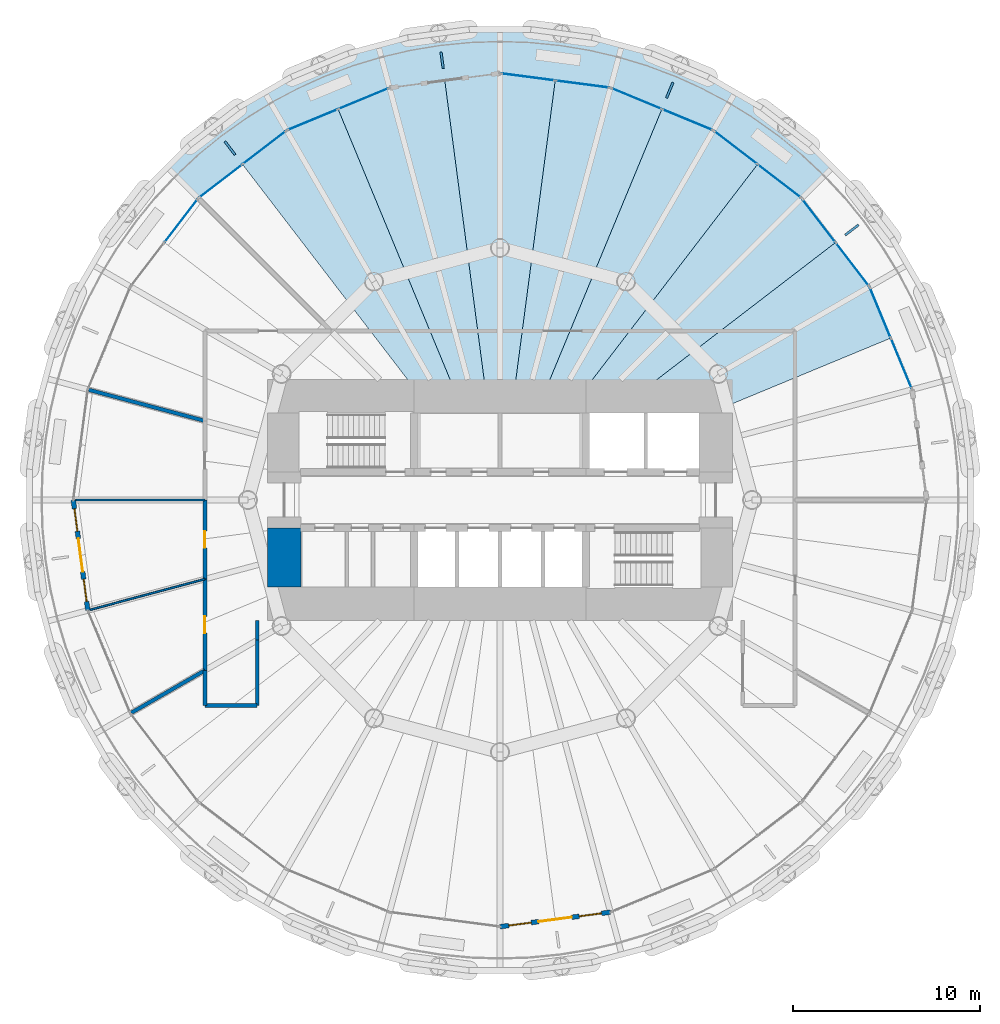
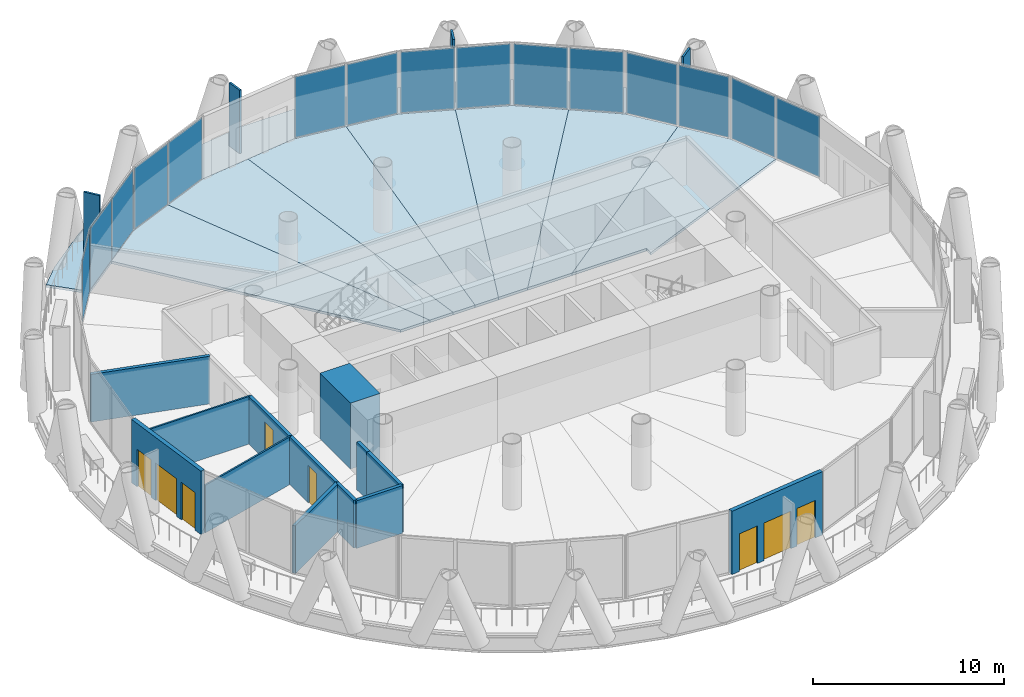
# One storey, part 9 of 15: 19 plates, 13 walls, 8 slabs, 4 doors, 4 windows, 8 openings, 8 elements without a shape of their own.
"""IFC4 building model written with IfcOpenShell, lengths in metres."""

from ifc_helpers import new_model, si_unit, direction, frame, frame_2d, origin, origin_2d, place, context, subcontext, project, spatial, polyline, rectangle, outline, extrude, material, layer, layer_set, type_object, element, fill, aggregate, save


model = new_model("IFC4")

# Units and contexts
model_context = context("Model", 3, precision=1e-05, world=origin(), true_north=direction((0.0, 1.0)))
body_context = subcontext(model_context, "Body", "Model", "MODEL_VIEW")
ifc_project = project(units=[si_unit("LENGTHUNIT", "METRE"), si_unit("AREAUNIT", "SQUARE_METRE"), si_unit("VOLUMEUNIT", "CUBIC_METRE"), si_unit("PLANEANGLEUNIT", "RADIAN"), si_unit("MASSUNIT", "GRAM", prefix="KILO")], contexts=[model_context])

# Site, building, storey
site_placement = place(None, origin())
site = spatial("IfcSite", under=ifc_project, at=site_placement, CompositionType="ELEMENT")
building_placement = place(site_placement, origin())
building = spatial("IfcBuilding", under=site, at=building_placement, Name="Qaws Media Tower", CompositionType="ELEMENT")
storey_placement = place(building_placement, frame((0.0, 0.0, 114.199951171875)))
storey = spatial("IfcBuildingStorey", under=building, at=storey_placement, Name="L25", CompositionType="ELEMENT", Elevation=114.199951171875)

# Slabs
ifc_material_1 = material(Name="Concrete C35/45", Category="concrete")
ifc_layer_1 = layer(ifc_material_1, 0.159912109375)
ifc_layer_set_1 = layer_set([ifc_layer_1], Name="Composite balcony slab 160")
slab_type_1 = type_object("IfcSlabType", Name="Composite balcony slab 160", PredefinedType="FLOOR", material=ifc_layer_set_1)
slab_1_placement = place(storey_placement, frame((0.0, 0.0, -0.159912109375)))
element("IfcSlab", 1, at=slab_1_placement, inside=storey, type_object=slab_type_1, Name="S2 balcony slab L25 R04 to R10, movement joints on R04 and R10", PredefinedType="FLOOR", context=body_context, shape_type="SweptSolid", body=[
    extrude(outline(polyline([(43.3515625, 68.98388671875), (45.971923828125, 70.99462890625), (48.832275390625, 72.64599609375), (51.8837890625, 73.909912109375), (55.073974609375, 74.764892578125), (58.3486328125, 75.19580078125), (61.6513671875, 75.19580078125), (64.926025390625, 74.764892578125), (68.1162109375, 73.909912109375), (71.167724609375, 72.64599609375), (74.028076171875, 70.99462890625), (76.6484375, 68.98388671875), (77.816162109375, 67.816162109375), (76.157470703125, 66.157470703125), (71.425048828125, 69.788818359375), (65.9140625, 72.0712890625), (60.0, 72.85009765625), (54.0859375, 72.0712890625), (48.574951171875, 69.788818359375), (43.842529296875, 66.157470703125), (42.183837890625, 67.816162109375), (43.3515625, 68.98388671875)])), origin(), (0.0, 0.0, 1.0), 0.159912109375),
])
ifc_material_2 = material(Name="Concrete C35/45", Category="concrete")
ifc_layer_2 = layer(ifc_material_2, 0.159912109375)
ifc_layer_set_2 = layer_set([ifc_layer_2], Name="Composite floor slab 160")
slab_type_2 = type_object("IfcSlabType", Name="Composite floor slab 160", PredefinedType="FLOOR", material=ifc_layer_set_2)
slab_2_placement = place(storey_placement, frame((0.0, 0.0, -0.159912109375)))
element("IfcSlab", 2, at=slab_2_placement, inside=storey, type_object=slab_type_2, Name="S1 floor panel L25 on R03", PredefinedType="FLOOR", context=body_context, shape_type="SweptSolid", body=[
    extrude(outline(polyline([(79.788818359375, 61.425048828125), (80.929931640625, 58.66943359375), (71.0, 54.556396484375), (71.0, 55.0), (66.51611328125, 55.0), (77.972900390625, 63.791259765625), (79.788818359375, 61.425048828125)])), origin(), (0.0, 0.0, 1.0), 0.159912109375),
])
slab_3_placement = place(storey_placement, frame((0.0, 0.0, -0.159912109375)))
element("IfcSlab", 3, at=slab_3_placement, inside=storey, type_object=slab_type_2, Name="S1 floor panel L25 on R04", PredefinedType="FLOOR", context=body_context, shape_type="SweptSolid", body=[
    extrude(outline(polyline([(76.157470703125, 66.157470703125), (77.972900390625, 63.791259765625), (66.51611328125, 55.0), (63.836669921875, 55.0), (73.791259765625, 67.972900390625), (76.157470703125, 66.157470703125)])), origin(), (0.0, 0.0, 1.0), 0.159912109375),
])
slab_4_placement = place(storey_placement, frame((0.0, 0.0, -0.159912109375)))
element("IfcSlab", 4, at=slab_4_placement, inside=storey, type_object=slab_type_2, Name="S1 floor panel L25 on R05", PredefinedType="FLOOR", context=body_context, shape_type="SweptSolid", body=[
    extrude(outline(polyline([(71.425048828125, 69.788818359375), (73.791259765625, 67.972900390625), (63.836669921875, 55.0), (62.071044921875, 55.0), (68.66943359375, 70.929931640625), (71.425048828125, 69.788818359375)])), origin(), (0.0, 0.0, 1.0), 0.159912109375),
])
slab_5_placement = place(storey_placement, frame((0.0, 0.0, -0.159912109375)))
element("IfcSlab", 5, at=slab_5_placement, inside=storey, type_object=slab_type_2, Name="S1 floor panel L25 on R06", PredefinedType="FLOOR", context=body_context, shape_type="SweptSolid", body=[
    extrude(outline(polyline([(65.9140625, 72.0712890625), (68.66943359375, 70.929931640625), (62.071044921875, 55.0), (60.658203125, 55.0), (62.95703125, 72.460693359375), (65.9140625, 72.0712890625)])), origin(), (0.0, 0.0, 1.0), 0.159912109375),
])
slab_6_placement = place(storey_placement, frame((0.0, 0.0, -0.159912109375)))
element("IfcSlab", 6, at=slab_6_placement, inside=storey, type_object=slab_type_2, Name="S1 floor panel L25 on R07", PredefinedType="FLOOR", context=body_context, shape_type="SweptSolid", body=[
    extrude(outline(polyline([(60.0, 72.85009765625), (62.95703125, 72.460693359375), (60.658203125, 55.0), (59.341796875, 55.0), (57.04296875, 72.460693359375), (60.0, 72.85009765625)])), origin(), (0.0, 0.0, 1.0), 0.159912109375),
])
slab_7_placement = place(storey_placement, frame((0.0, 0.0, -0.159912109375)))
element("IfcSlab", 7, at=slab_7_placement, inside=storey, type_object=slab_type_2, Name="S1 floor panel L25 on R08", PredefinedType="FLOOR", context=body_context, shape_type="SweptSolid", body=[
    extrude(outline(polyline([(54.0859375, 72.0712890625), (57.04296875, 72.460693359375), (59.341796875, 55.0), (57.928955078125, 55.0), (51.33056640625, 70.929931640625), (54.0859375, 72.0712890625)])), origin(), (0.0, 0.0, 1.0), 0.159912109375),
])
slab_8_placement = place(storey_placement, frame((0.0, 0.0, -0.159912109375)))
element("IfcSlab", 8, at=slab_8_placement, inside=storey, type_object=slab_type_2, Name="S1 floor panel L25 on R09", PredefinedType="FLOOR", context=body_context, shape_type="SweptSolid", body=[
    extrude(outline(polyline([(48.574951171875, 69.788818359375), (51.33056640625, 70.929931640625), (57.928955078125, 55.0), (56.163330078125, 55.0), (46.208740234375, 67.972900390625), (48.574951171875, 69.788818359375)])), origin(), (0.0, 0.0, 1.0), 0.159912109375),
])

# Curtain wall, plates
ifc_material_3 = material(Name="Aluminium and clear glass", Category="aluminium")
curtain_wall_type = type_object("IfcCurtainWallType", Name="Unitised curtain wall CW-B", PredefinedType="NOTDEFINED", material=ifc_material_3)
curtain_wall_1_placement = place(storey_placement, origin())
curtain_wall_1 = element("IfcCurtainWall", 9, at=curtain_wall_1_placement, inside=storey, type_object=curtain_wall_type, Name="CWB curtain wall L25-02", PredefinedType="NOTDEFINED")
ifc_material_4 = material(Name="Clear laminated double glazing", Category="glass")
ifc_layer_3 = layer(ifc_material_4, 0.031982421875)
ifc_layer_set_3 = layer_set([ifc_layer_3], Name="Curtain wall glass unit 32")
plate_type_1 = type_object("IfcPlateType", Name="Curtain wall glass unit 32", PredefinedType="CURTAIN_PANEL", material=ifc_layer_set_3)
plate_1_placement = place(storey_placement, frame((81.4931640625, 57.310302734375, 0.080078125), z_axis=(0.0, 0.0, 1.0), x_axis=(-0.382683471145, 0.923879516448, 0.0)))
plate_1 = element("IfcPlate", 10, at=plate_1_placement, type_object=plate_type_1, Name="CWB panel 1.1", PredefinedType="CURTAIN_PANEL", context=body_context, shape_type="SweptSolid", body=[
    extrude(rectangle(XDim=2.862548828125, YDim=0.031982421875, at=origin_2d()), origin(), (0.0, 0.0, 1.0), 3.8798828125),
])
plate_2_placement = place(storey_placement, frame((80.366943359375, 60.02880859375, 0.080078125), z_axis=(0.0, 0.0, 1.0), x_axis=(-0.382683471145, 0.923879516448, 0.0)))
plate_2 = element("IfcPlate", 11, at=plate_2_placement, type_object=plate_type_1, Name="CWB panel 2.1", PredefinedType="CURTAIN_PANEL", context=body_context, shape_type="SweptSolid", body=[
    extrude(rectangle(XDim=2.862548828125, YDim=0.031982421875, at=origin_2d()), origin(), (0.0, 0.0, 1.0), 3.8798828125),
])
aggregate(curtain_wall_1, [plate_1, plate_2])

curtain_wall_2_placement = place(storey_placement, origin())
curtain_wall_2 = element("IfcCurtainWall", 12, at=curtain_wall_2_placement, inside=storey, type_object=curtain_wall_type, Name="CWB curtain wall L25-03", PredefinedType="NOTDEFINED")
plate_3_placement = place(storey_placement, frame((78.86865234375, 62.6240234375, 0.080078125), z_axis=(0.0, 0.0, 1.0), x_axis=(-0.608761369427, 0.79335338601, 0.0)))
plate_3 = element("IfcPlate", 13, at=plate_3_placement, type_object=plate_type_1, Name="CWB panel 1.1", PredefinedType="CURTAIN_PANEL", context=body_context, shape_type="SweptSolid", body=[
    extrude(rectangle(XDim=2.862548828125, YDim=0.031982421875, at=origin_2d()), origin(), (0.0, 0.0, 1.0), 3.8798828125),
])
plate_4_placement = place(storey_placement, frame((77.077392578125, 64.95849609375, 0.080078125), z_axis=(0.0, 0.0, 1.0), x_axis=(-0.608761369427, 0.79335338601, 0.0)))
plate_4 = element("IfcPlate", 14, at=plate_4_placement, type_object=plate_type_1, Name="CWB panel 2.1", PredefinedType="CURTAIN_PANEL", context=body_context, shape_type="SweptSolid", body=[
    extrude(rectangle(XDim=2.862548828125, YDim=0.031982421875, at=origin_2d()), origin(), (0.0, 0.0, 1.0), 3.8798828125),
])
aggregate(curtain_wall_2, [plate_3, plate_4])

curtain_wall_3_placement = place(storey_placement, origin())
curtain_wall_3 = element("IfcCurtainWall", 15, at=curtain_wall_3_placement, inside=storey, type_object=curtain_wall_type, Name="CWB curtain wall L25-04", PredefinedType="NOTDEFINED")
plate_5_placement = place(storey_placement, frame((74.95849609375, 67.077392578125, 0.080078125), z_axis=(0.0, 0.0, 1.0), x_axis=(-0.79335338601, 0.608761369427, 0.0)))
plate_5 = element("IfcPlate", 16, at=plate_5_placement, type_object=plate_type_1, Name="CWB panel 1.1", PredefinedType="CURTAIN_PANEL", context=body_context, shape_type="SweptSolid", body=[
    extrude(rectangle(XDim=2.862548828125, YDim=0.031982421875, at=origin_2d()), origin(), (0.0, 0.0, 1.0), 3.8798828125),
])
plate_6_placement = place(storey_placement, frame((72.6240234375, 68.86865234375, 0.080078125), z_axis=(0.0, 0.0, 1.0), x_axis=(-0.79335338601, 0.608761369427, 0.0)))
plate_6 = element("IfcPlate", 17, at=plate_6_placement, type_object=plate_type_1, Name="CWB panel 2.1", PredefinedType="CURTAIN_PANEL", context=body_context, shape_type="SweptSolid", body=[
    extrude(rectangle(XDim=2.862548828125, YDim=0.031982421875, at=origin_2d()), origin(), (0.0, 0.0, 1.0), 3.8798828125),
])
aggregate(curtain_wall_3, [plate_5, plate_6])

curtain_wall_4_placement = place(storey_placement, origin())
curtain_wall_4 = element("IfcCurtainWall", 18, at=curtain_wall_4_placement, inside=storey, type_object=curtain_wall_type, Name="CWB curtain wall L25-05", PredefinedType="NOTDEFINED")
plate_7_placement = place(storey_placement, frame((70.02880859375, 70.366943359375, 0.080078125), z_axis=(0.0, 0.0, 1.0), x_axis=(-0.923879516448, 0.382683471145, 0.0)))
plate_7 = element("IfcPlate", 19, at=plate_7_placement, type_object=plate_type_1, Name="CWB panel 1.1", PredefinedType="CURTAIN_PANEL", context=body_context, shape_type="SweptSolid", body=[
    extrude(rectangle(XDim=2.862548828125, YDim=0.031982421875, at=origin_2d()), origin(), (0.0, 0.0, 1.0), 3.8798828125),
])
plate_8_placement = place(storey_placement, frame((67.310302734375, 71.4931640625, 0.080078125), z_axis=(0.0, 0.0, 1.0), x_axis=(-0.923879516448, 0.382683471145, 0.0)))
plate_8 = element("IfcPlate", 20, at=plate_8_placement, type_object=plate_type_1, Name="CWB panel 2.1", PredefinedType="CURTAIN_PANEL", context=body_context, shape_type="SweptSolid", body=[
    extrude(rectangle(XDim=2.862548828125, YDim=0.031982421875, at=origin_2d()), origin(), (0.0, 0.0, 1.0), 3.8798828125),
])
aggregate(curtain_wall_4, [plate_7, plate_8])

curtain_wall_5_placement = place(storey_placement, origin())
curtain_wall_5 = element("IfcCurtainWall", 21, at=curtain_wall_5_placement, inside=storey, type_object=curtain_wall_type, Name="CWB curtain wall L25-06", PredefinedType="NOTDEFINED")
plate_9_placement = place(storey_placement, frame((64.415771484375, 72.2685546875, 0.080078125), z_axis=(0.0, 0.0, 1.0), x_axis=(-0.991444858023, 0.130526217674, 0.0)))
plate_9 = element("IfcPlate", 22, at=plate_9_placement, type_object=plate_type_1, Name="CWB panel 1.1", PredefinedType="CURTAIN_PANEL", context=body_context, shape_type="SweptSolid", body=[
    extrude(rectangle(XDim=2.862548828125, YDim=0.031982421875, at=origin_2d()), origin(), (0.0, 0.0, 1.0), 3.8798828125),
])
plate_10_placement = place(storey_placement, frame((61.498291015625, 72.65283203125, 0.080078125), z_axis=(0.0, 0.0, 1.0), x_axis=(-0.991444858023, 0.130526217674, 0.0)))
plate_10 = element("IfcPlate", 23, at=plate_10_placement, type_object=plate_type_1, Name="CWB panel 2.1", PredefinedType="CURTAIN_PANEL", context=body_context, shape_type="SweptSolid", body=[
    extrude(rectangle(XDim=2.862548828125, YDim=0.031982421875, at=origin_2d()), origin(), (0.0, 0.0, 1.0), 3.8798828125),
])
aggregate(curtain_wall_5, [plate_9, plate_10])

curtain_wall_6_placement = place(storey_placement, origin())
curtain_wall_6 = element("IfcCurtainWall", 24, at=curtain_wall_6_placement, inside=storey, type_object=curtain_wall_type, Name="CWB curtain wall L25-08", PredefinedType="NOTDEFINED")
plate_11_placement = place(storey_placement, frame((52.689697265625, 71.4931640625, 0.080078125), z_axis=(0.0, 0.0, 1.0), x_axis=(-0.923879516448, -0.382683471145, 0.0)))
plate_11 = element("IfcPlate", 25, at=plate_11_placement, type_object=plate_type_1, Name="CWB panel 1.1", PredefinedType="CURTAIN_PANEL", context=body_context, shape_type="SweptSolid", body=[
    extrude(rectangle(XDim=2.862548828125, YDim=0.031982421875, at=origin_2d()), origin(), (0.0, 0.0, 1.0), 3.8798828125),
])
plate_12_placement = place(storey_placement, frame((49.97119140625, 70.366943359375, 0.080078125), z_axis=(0.0, 0.0, 1.0), x_axis=(-0.923879516448, -0.382683471145, 0.0)))
plate_12 = element("IfcPlate", 26, at=plate_12_placement, type_object=plate_type_1, Name="CWB panel 2.1", PredefinedType="CURTAIN_PANEL", context=body_context, shape_type="SweptSolid", body=[
    extrude(rectangle(XDim=2.862548828125, YDim=0.031982421875, at=origin_2d()), origin(), (0.0, 0.0, 1.0), 3.8798828125),
])
aggregate(curtain_wall_6, [plate_11, plate_12])

curtain_wall_7_placement = place(storey_placement, origin())
curtain_wall_7 = element("IfcCurtainWall", 27, at=curtain_wall_7_placement, inside=storey, type_object=curtain_wall_type, Name="CWB curtain wall L25-09", PredefinedType="NOTDEFINED")
plate_13_placement = place(storey_placement, frame((47.3759765625, 68.86865234375, 0.080078125), z_axis=(0.0, 0.0, 1.0), x_axis=(-0.79335338601, -0.608761369427, 0.0)))
plate_13 = element("IfcPlate", 28, at=plate_13_placement, type_object=plate_type_1, Name="CWB panel 1.1", PredefinedType="CURTAIN_PANEL", context=body_context, shape_type="SweptSolid", body=[
    extrude(rectangle(XDim=2.862548828125, YDim=0.031982421875, at=origin_2d()), origin(), (0.0, 0.0, 1.0), 3.8798828125),
])
plate_14_placement = place(storey_placement, frame((45.04150390625, 67.077392578125, 0.080078125), z_axis=(0.0, 0.0, 1.0), x_axis=(-0.79335338601, -0.608761369427, 0.0)))
plate_14 = element("IfcPlate", 29, at=plate_14_placement, type_object=plate_type_1, Name="CWB panel 2.1", PredefinedType="CURTAIN_PANEL", context=body_context, shape_type="SweptSolid", body=[
    extrude(rectangle(XDim=2.862548828125, YDim=0.031982421875, at=origin_2d()), origin(), (0.0, 0.0, 1.0), 3.8798828125),
])
aggregate(curtain_wall_7, [plate_13, plate_14])

# Curtain wall, plate
curtain_wall_8_placement = place(storey_placement, origin())
curtain_wall_8 = element("IfcCurtainWall", 30, at=curtain_wall_8_placement, inside=storey, type_object=curtain_wall_type, Name="CWB curtain wall L25-10", PredefinedType="NOTDEFINED")
plate_15_placement = place(storey_placement, frame((42.922607421875, 64.95849609375, 0.080078125), z_axis=(0.0, 0.0, 1.0), x_axis=(-0.608761369427, -0.79335338601, 0.0)))
plate_15 = element("IfcPlate", 31, at=plate_15_placement, type_object=plate_type_1, Name="CWB panel 1.1", PredefinedType="CURTAIN_PANEL", context=body_context, shape_type="SweptSolid", body=[
    extrude(rectangle(XDim=2.862548828125, YDim=0.031982421875, at=origin_2d()), origin(), (0.0, 0.0, 1.0), 3.8798828125),
])
aggregate(curtain_wall_8, [plate_15])

# Plates
ifc_material_5 = material(Name="Precast concrete screen fin", Category="concrete")
ifc_layer_4 = layer(ifc_material_5, 0.1201171875)
ifc_layer_set_4 = layer_set([ifc_layer_4], Name="Screen fin 120x900")
plate_type_2 = type_object("IfcPlateType", Name="Screen fin 120x900", PredefinedType="USERDEFINED", material=ifc_layer_set_4)
for number, where, z_axis, x_axis, name in (
    (32, (78.842041015625, 64.4580078125, 0.0), (0.0, 0.0, 1.0), (0.793353340291, 0.608761429009, 0.0), "SCR1 screen fin L25-02"),
    (33, (69.088623046875, 71.942138671875, 0.0), (0.0, 0.0, 1.0), (0.382683432365, 0.923879532511, 0.0), "SCR1 screen fin L25-03"),
    (34, (56.89990234375, 73.546875, 0.0), (0.0, 0.0, 1.0), (-0.13052619222, 0.991444861374, 0.0), "SCR1 screen fin L25-04"),
    (35, (45.5419921875, 68.842041015625, 0.0), (0.0, 0.0, 1.0), (-0.608761429009, 0.793353340291, 0.0), "SCR1 screen fin L25-05"),
):
    element("IfcPlate", number, at=place(storey_placement, frame(where, z_axis=z_axis, x_axis=x_axis)), inside=storey, type_object=plate_type_2, Name=name, ObjectType="SCREEN", PredefinedType="USERDEFINED", context=body_context, shape_type="SweptSolid", body=[
        extrude(rectangle(XDim=0.89990234375, YDim=0.1201171875, at=origin_2d()), origin(), (0.0, 0.0, 1.0), 4.0400390625),
    ])

# Wall, openings, door, windows
ifc_material_6 = material(Name="Precast concrete, exposed finish", Category="concrete")
ifc_layer_5 = layer(ifc_material_6, 0.25)
ifc_layer_set_5 = layer_set([ifc_layer_5], Name="Balcony door wall 250")
wall_type_1 = type_object("IfcWallType", Name="Balcony door wall 250", PredefinedType="SOLIDWALL", material=ifc_layer_set_5)
wall_1_placement = place(storey_placement, frame((37.14990234375, 50.0, 0.0), z_axis=(0.0, 0.0, 1.0), x_axis=(0.130560384174, -0.991440359318, 0.0)))
wall_1 = element("IfcWall", 36, at=wall_1_placement, inside=storey, type_object=wall_type_1, Name="W141 EW1 balcony door wall L25-13", PredefinedType="SOLIDWALL", context=body_context, shape_type="SweptSolid", body=[
    extrude(rectangle(XDim=5.965087890625, YDim=0.25, at=frame_2d((2.982421875, 0.0))), origin(), (0.0, 0.0, 1.0), 4.0400390625),
])
opening_1_placement = place(wall_1_placement, frame((2.08251953125, 0.0, 0.0)))
opening_1 = element("IfcOpeningElement", 37, at=opening_1_placement, cuts=wall_1, Name="Opening D7", PredefinedType="OPENING", context=body_context, shape_type="SweptSolid", body=[
    extrude(rectangle(XDim=1.800048828125, YDim=2.39990234375, at=frame_2d((0.89990234375, 1.199951171875))), frame((0.0, 0.135009765625, 0.0), z_axis=(0.0, -1.0, 0.0), x_axis=(1.0, 0.0, 0.0)), (0.0, 0.0, 1.0), 0.27001953125),
])
opening_2_placement = place(wall_1_placement, frame((0.482421875, 0.0, 0.0)))
opening_2 = element("IfcOpeningElement", 38, at=opening_2_placement, cuts=wall_1, Name="Opening W1", PredefinedType="OPENING", context=body_context, shape_type="SweptSolid", body=[
    extrude(rectangle(XDim=1.199951171875, YDim=2.39990234375, at=frame_2d((0.60009765625, 1.199951171875))), frame((0.0, 0.135009765625, 0.0), z_axis=(0.0, -1.0, 0.0), x_axis=(1.0, 0.0, 0.0)), (0.0, 0.0, 1.0), 0.27001953125),
])
opening_3_placement = place(wall_1_placement, frame((4.282470703125, 0.0, 0.0)))
opening_3 = element("IfcOpeningElement", 39, at=opening_3_placement, cuts=wall_1, Name="Opening W1", PredefinedType="OPENING", context=body_context, shape_type="SweptSolid", body=[
    extrude(rectangle(XDim=1.199951171875, YDim=2.39990234375, at=frame_2d((0.60009765625, 1.199951171875))), frame((0.0, 0.135009765625, 0.0), z_axis=(0.0, -1.0, 0.0), x_axis=(1.0, 0.0, 0.0)), (0.0, 0.0, 1.0), 0.27001953125),
])
ifc_material_7 = material(Name="Aluminium and clear glass", Category="aluminium")
door_type_1 = type_object("IfcDoorType", Name="Balcony door pair 1800", OperationType="DOUBLE_DOOR_SLIDING", PredefinedType="DOOR", material=ifc_material_7)
door_1_placement = place(opening_1_placement, origin())
door_1 = element("IfcDoor", 40, at=door_1_placement, inside=storey, type_object=door_type_1, Name="D7 balcony door L25-13 in wall W141", OperationType="DOUBLE_DOOR_SLIDING", OverallHeight=2.39990234375, OverallWidth=1.800048828125, PredefinedType="DOOR", context=body_context, shape_type="SweptSolid", body=[
    extrude(rectangle(XDim=1.800048828125, YDim=2.39990234375, at=frame_2d((0.89990234375, 1.199951171875))), frame((0.0, 0.02490234375, 0.0), z_axis=(0.0, -1.0, 0.0), x_axis=(1.0, 0.0, 0.0)), (0.0, 0.0, 1.0), 0.050048828125),
])
fill(opening_1, door_1)
ifc_material_8 = material(Name="Aluminium and clear glass", Category="aluminium")
window_type = type_object("IfcWindowType", Name="Balcony side window 1200", PartitioningType="SINGLE_PANEL", PredefinedType="WINDOW", material=ifc_material_8)
window_1_placement = place(opening_2_placement, origin())
window_1 = element("IfcWindow", 41, at=window_1_placement, inside=storey, type_object=window_type, Name="W1 balcony side light L25-13L", OverallHeight=2.39990234375, OverallWidth=1.199951171875, PartitioningType="SINGLE_PANEL", PredefinedType="WINDOW", context=body_context, shape_type="SweptSolid", body=[
    extrude(rectangle(XDim=1.199951171875, YDim=2.39990234375, at=frame_2d((0.60009765625, 1.199951171875))), frame((0.0, 0.030029296875, 0.0), z_axis=(0.0, -1.0, 0.0), x_axis=(1.0, 0.0, 0.0)), (0.0, 0.0, 1.0), 0.06005859375),
])
fill(opening_2, window_1)
window_2_placement = place(opening_3_placement, origin())
window_2 = element("IfcWindow", 42, at=window_2_placement, inside=storey, type_object=window_type, Name="W1 balcony side light L25-13R", OverallHeight=2.39990234375, OverallWidth=1.199951171875, PartitioningType="SINGLE_PANEL", PredefinedType="WINDOW", context=body_context, shape_type="SweptSolid", body=[
    extrude(rectangle(XDim=1.199951171875, YDim=2.39990234375, at=frame_2d((0.60009765625, 1.199951171875))), frame((0.0, 0.030029296875, 0.0), z_axis=(0.0, -1.0, 0.0), x_axis=(1.0, 0.0, 0.0)), (0.0, 0.0, 1.0), 0.06005859375),
])
fill(opening_3, window_2)

wall_2_placement = place(storey_placement, frame((60.0, 27.14990234375, 0.0), z_axis=(0.0, 0.0, 1.0), x_axis=(0.991440359318, 0.130560384174, 0.0)))
wall_2 = element("IfcWall", 43, at=wall_2_placement, inside=storey, type_object=wall_type_1, Name="W142 EW1 balcony door wall L25-19", PredefinedType="SOLIDWALL", context=body_context, shape_type="SweptSolid", body=[
    extrude(rectangle(XDim=5.965087890625, YDim=0.25, at=frame_2d((2.982421875, 0.0))), origin(), (0.0, 0.0, 1.0), 4.0400390625),
])
opening_4_placement = place(wall_2_placement, frame((2.08251953125, 0.0, 0.0)))
opening_4 = element("IfcOpeningElement", 44, at=opening_4_placement, cuts=wall_2, Name="Opening D7", PredefinedType="OPENING", context=body_context, shape_type="SweptSolid", body=[
    extrude(rectangle(XDim=1.800048828125, YDim=2.39990234375, at=frame_2d((0.89990234375, 1.199951171875))), frame((0.0, 0.135009765625, 0.0), z_axis=(0.0, -1.0, 0.0), x_axis=(1.0, 0.0, 0.0)), (0.0, 0.0, 1.0), 0.27001953125),
])
opening_5_placement = place(wall_2_placement, frame((0.482421875, 0.0, 0.0)))
opening_5 = element("IfcOpeningElement", 45, at=opening_5_placement, cuts=wall_2, Name="Opening W1", PredefinedType="OPENING", context=body_context, shape_type="SweptSolid", body=[
    extrude(rectangle(XDim=1.199951171875, YDim=2.39990234375, at=frame_2d((0.60009765625, 1.199951171875))), frame((0.0, 0.135009765625, 0.0), z_axis=(0.0, -1.0, 0.0), x_axis=(1.0, 0.0, 0.0)), (0.0, 0.0, 1.0), 0.27001953125),
])
opening_6_placement = place(wall_2_placement, frame((4.282470703125, 0.0, 0.0)))
opening_6 = element("IfcOpeningElement", 46, at=opening_6_placement, cuts=wall_2, Name="Opening W1", PredefinedType="OPENING", context=body_context, shape_type="SweptSolid", body=[
    extrude(rectangle(XDim=1.199951171875, YDim=2.39990234375, at=frame_2d((0.60009765625, 1.199951171875))), frame((0.0, 0.135009765625, 0.0), z_axis=(0.0, -1.0, 0.0), x_axis=(1.0, 0.0, 0.0)), (0.0, 0.0, 1.0), 0.27001953125),
])
door_2_placement = place(opening_4_placement, origin())
door_2 = element("IfcDoor", 47, at=door_2_placement, inside=storey, type_object=door_type_1, Name="D7 balcony door L25-19 in wall W142", OperationType="DOUBLE_DOOR_SLIDING", OverallHeight=2.39990234375, OverallWidth=1.800048828125, PredefinedType="DOOR", context=body_context, shape_type="SweptSolid", body=[
    extrude(rectangle(XDim=1.800048828125, YDim=2.39990234375, at=frame_2d((0.89990234375, 1.199951171875))), frame((0.0, 0.02490234375, 0.0), z_axis=(0.0, -1.0, 0.0), x_axis=(1.0, 0.0, 0.0)), (0.0, 0.0, 1.0), 0.050048828125),
])
fill(opening_4, door_2)
window_3_placement = place(opening_5_placement, origin())
window_3 = element("IfcWindow", 48, at=window_3_placement, inside=storey, type_object=window_type, Name="W1 balcony side light L25-19L", OverallHeight=2.39990234375, OverallWidth=1.199951171875, PartitioningType="SINGLE_PANEL", PredefinedType="WINDOW", context=body_context, shape_type="SweptSolid", body=[
    extrude(rectangle(XDim=1.199951171875, YDim=2.39990234375, at=frame_2d((0.60009765625, 1.199951171875))), frame((0.0, 0.030029296875, 0.0), z_axis=(0.0, -1.0, 0.0), x_axis=(1.0, 0.0, 0.0)), (0.0, 0.0, 1.0), 0.06005859375),
])
fill(opening_5, window_3)
window_4_placement = place(opening_6_placement, origin())
window_4 = element("IfcWindow", 49, at=window_4_placement, inside=storey, type_object=window_type, Name="W1 balcony side light L25-19R", OverallHeight=2.39990234375, OverallWidth=1.199951171875, PartitioningType="SINGLE_PANEL", PredefinedType="WINDOW", context=body_context, shape_type="SweptSolid", body=[
    extrude(rectangle(XDim=1.199951171875, YDim=2.39990234375, at=frame_2d((0.60009765625, 1.199951171875))), frame((0.0, 0.030029296875, 0.0), z_axis=(0.0, -1.0, 0.0), x_axis=(1.0, 0.0, 0.0)), (0.0, 0.0, 1.0), 0.06005859375),
])
fill(opening_6, window_4)

# Walls
ifc_material_9 = material(Name="Concrete C60/75", Category="concrete")
ifc_layer_6 = layer(ifc_material_9, 1.800048828125)
ifc_layer_set_6 = layer_set([ifc_layer_6], Name="Core wall 1800")
wall_type_2 = type_object("IfcWallType", Name="Core wall 1800", PredefinedType="SHEAR", material=ifc_layer_set_6)
wall_3_placement = place(storey_placement, frame((48.449951171875, 45.330078125, 0.0), z_axis=(0.0, 0.0, 1.0), x_axis=(0.0, 1.0, 0.0)))
element("IfcWall", 50, at=wall_3_placement, inside=storey, type_object=wall_type_2, Name="W418 SW11 core wall WS L25", PredefinedType="SHEAR", context=body_context, shape_type="SweptSolid", body=[
    extrude(rectangle(XDim=3.169921875, YDim=1.800048828125, at=frame_2d((1.5849609375, 0.0))), origin(), (0.0, 0.0, 1.0), 4.199951171875),
])
ifc_material_10 = material(Name="Gypsum board on 70 metal studs, single layer each side", Category="gypsum")
ifc_layer_7 = layer(ifc_material_10, 0.10009765625)
ifc_layer_set_7 = layer_set([ifc_layer_7], Name="Office stud partition 100")
wall_type_3 = type_object("IfcWallType", Name="Office stud partition 100", PredefinedType="PARTITIONING", material=ifc_layer_set_7)
wall_4_placement = place(storey_placement, frame((44.199951171875, 50.0, 0.0), z_axis=(0.0, 0.0, 1.0), x_axis=(-1.0, 0.0, 0.0)))
element("IfcWall", 51, at=wall_4_placement, inside=storey, type_object=wall_type_3, Name="W643 IW4 partition L25", PredefinedType="PARTITIONING", context=body_context, shape_type="SweptSolid", body=[
    extrude(rectangle(XDim=6.909912109375, YDim=0.10009765625, at=frame_2d((3.455078125, 0.0))), origin(), (0.0, 0.0, 1.0), 3.0400390625),
])
wall_5_placement = place(storey_placement, frame((44.197509765625, 45.765625, 0.0), z_axis=(0.0, 0.0, 1.0), x_axis=(-0.96593500974, -0.258784769565, 0.0)))
element("IfcWall", 52, at=wall_5_placement, inside=storey, type_object=wall_type_3, Name="W656 IW4 partition L25", PredefinedType="PARTITIONING", context=body_context, shape_type="SweptSolid", body=[
    extrude(rectangle(XDim=6.35009765625, YDim=0.10009765625, at=frame_2d((3.175048828125, 0.0))), origin(), (0.0, 0.0, 1.0), 3.0400390625),
])
ifc_material_11 = material(Name="Gypsum board on galvanised metal studs, acoustic double stud, deflection head", Category="gypsum")
ifc_layer_8 = layer(ifc_material_11, 0.199951171875)
ifc_layer_set_8 = layer_set([ifc_layer_8], Name="Room partition 200")
wall_type_4 = type_object("IfcWallType", Name="Room partition 200", PredefinedType="PARTITIONING", material=ifc_layer_set_8)
wall_6_placement = place(storey_placement, frame((47.0, 43.550048828125, 0.0), z_axis=(0.0, 0.0, 1.0), x_axis=(0.0, -1.0, 0.0)))
element("IfcWall", 53, at=wall_6_placement, inside=storey, type_object=wall_type_4, Name="W1224 IW3 partition L25", PredefinedType="PARTITIONING", context=body_context, shape_type="SweptSolid", body=[
    extrude(rectangle(XDim=1.0556640625, YDim=0.199951171875, at=frame_2d((0.52783203125, 0.0))), origin(), (0.0, 0.0, 1.0), 3.0400390625),
])
wall_7_placement = place(storey_placement, frame((47.0, 42.494384765625, 0.0), z_axis=(0.0, 0.0, 1.0), x_axis=(0.0, -1.0, 0.0)))
element("IfcWall", 54, at=wall_7_placement, inside=storey, type_object=wall_type_4, Name="W1223 IW3 partition L25", PredefinedType="PARTITIONING", context=body_context, shape_type="SweptSolid", body=[
    extrude(rectangle(XDim=3.494384765625, YDim=0.199951171875, at=frame_2d((1.7470703125, 0.0))), origin(), (0.0, 0.0, 1.0), 3.0400390625),
])
wall_8_placement = place(storey_placement, frame((47.0, 39.0, 0.0), z_axis=(0.0, 0.0, 1.0), x_axis=(-1.0, 0.0, 0.0)))
element("IfcWall", 55, at=wall_8_placement, inside=storey, type_object=wall_type_4, Name="W1222 IW3 partition L25", PredefinedType="PARTITIONING", context=body_context, shape_type="SweptSolid", body=[
    extrude(rectangle(XDim=2.800048828125, YDim=0.199951171875, at=frame_2d((1.39990234375, 0.0))), origin(), (0.0, 0.0, 1.0), 3.0400390625),
])
wall_9_placement = place(storey_placement, frame((44.199951171875, 39.0, 0.0), z_axis=(0.0, 0.0, 1.0), x_axis=(0.0, 1.0, 0.0)))
element("IfcWall", 56, at=wall_9_placement, inside=storey, type_object=wall_type_4, Name="W1215 IW3 partition L25", PredefinedType="PARTITIONING", context=body_context, shape_type="SweptSolid", body=[
    extrude(rectangle(XDim=1.8779296875, YDim=0.199951171875, at=frame_2d((0.93896484375, 0.0))), origin(), (0.0, 0.0, 1.0), 3.0400390625),
])

# Wall, opening, door
wall_10_placement = place(storey_placement, frame((44.199951171875, 40.8779296875, 0.0), z_axis=(0.0, 0.0, 1.0), x_axis=(0.0, 1.0, 0.0)))
wall_10 = element("IfcWall", 57, at=wall_10_placement, inside=storey, type_object=wall_type_4, Name="W1216 IW3 partition L25", PredefinedType="PARTITIONING", context=body_context, shape_type="SweptSolid", body=[
    extrude(rectangle(XDim=4.888427734375, YDim=0.199951171875, at=frame_2d((2.4443359375, 0.0))), origin(), (0.0, 0.0, 1.0), 3.0400390625),
])
opening_7_placement = place(wall_10_placement, frame((1.994384765625, 0.0, 0.0)))
opening_7 = element("IfcOpeningElement", 58, at=opening_7_placement, cuts=wall_10, Name="Opening D12", PredefinedType="OPENING", context=body_context, shape_type="SweptSolid", body=[
    extrude(rectangle(XDim=0.89990234375, YDim=2.39990234375, at=frame_2d((0.449951171875, 1.199951171875))), frame((0.0, 0.10986328125, 0.0), z_axis=(0.0, -1.0, 0.0), x_axis=(1.0, 0.0, 0.0)), (0.0, 0.0, 1.0), 0.219970703125),
])
ifc_material_12 = material(Name="Timber veneered, full height", Category="wood")
door_type_2 = type_object("IfcDoorType", Name="Office door 900x2400", OperationType="SINGLE_SWING_LEFT", PredefinedType="DOOR", material=ifc_material_12)
door_3_placement = place(opening_7_placement, origin())
door_3 = element("IfcDoor", 59, at=door_3_placement, inside=storey, type_object=door_type_2, Name="D12 Office door L25 in wall W1216", OperationType="SINGLE_SWING_LEFT", OverallHeight=2.39990234375, OverallWidth=0.89990234375, PredefinedType="DOOR", context=body_context, shape_type="SweptSolid", body=[
    extrude(rectangle(XDim=0.89990234375, YDim=2.39990234375, at=frame_2d((0.449951171875, 1.199951171875))), frame((0.0, 0.02490234375, 0.0), z_axis=(0.0, -1.0, 0.0), x_axis=(1.0, 0.0, 0.0)), (0.0, 0.0, 1.0), 0.050048828125),
])
fill(opening_7, door_3)

wall_11_placement = place(storey_placement, frame((44.199951171875, 45.766357421875, 0.0), z_axis=(0.0, 0.0, 1.0), x_axis=(0.0, 1.0, 0.0)))
wall_11 = element("IfcWall", 60, at=wall_11_placement, inside=storey, type_object=wall_type_4, Name="W1217 IW3 partition L25", PredefinedType="PARTITIONING", context=body_context, shape_type="SweptSolid", body=[
    extrude(rectangle(XDim=4.233642578125, YDim=0.199951171875, at=frame_2d((2.11669921875, 0.0))), origin(), (0.0, 0.0, 1.0), 3.0400390625),
])
opening_8_placement = place(wall_11_placement, frame((1.666748046875, 0.0, 0.0)))
opening_8 = element("IfcOpeningElement", 61, at=opening_8_placement, cuts=wall_11, Name="Opening D12", PredefinedType="OPENING", context=body_context, shape_type="SweptSolid", body=[
    extrude(rectangle(XDim=0.89990234375, YDim=2.39990234375, at=frame_2d((0.449951171875, 1.199951171875))), frame((0.0, 0.10986328125, 0.0), z_axis=(0.0, -1.0, 0.0), x_axis=(1.0, 0.0, 0.0)), (0.0, 0.0, 1.0), 0.219970703125),
])
door_4_placement = place(opening_8_placement, origin())
door_4 = element("IfcDoor", 62, at=door_4_placement, inside=storey, type_object=door_type_2, Name="D12 Office door L25 in wall W1217", OperationType="SINGLE_SWING_LEFT", OverallHeight=2.39990234375, OverallWidth=0.89990234375, PredefinedType="DOOR", context=body_context, shape_type="SweptSolid", body=[
    extrude(rectangle(XDim=0.89990234375, YDim=2.39990234375, at=frame_2d((0.449951171875, 1.199951171875))), frame((0.0, 0.02490234375, 0.0), z_axis=(0.0, -1.0, 0.0), x_axis=(1.0, 0.0, 0.0)), (0.0, 0.0, 1.0), 0.050048828125),
])
fill(opening_8, door_4)

# Walls
wall_12_placement = place(storey_placement, frame((44.197509765625, 54.234375, 0.0), z_axis=(0.0, 0.0, 1.0), x_axis=(-0.965923890569, 0.2588262692, 0.0)))
element("IfcWall", 63, at=wall_12_placement, inside=storey, type_object=wall_type_4, Name="W1236 IW3 partition L25", PredefinedType="PARTITIONING", context=body_context, shape_type="SweptSolid", body=[
    extrude(rectangle(XDim=6.449951171875, YDim=0.199951171875, at=frame_2d((3.22509765625, 0.0))), origin(), (0.0, 0.0, 1.0), 3.0400390625),
])
wall_13_placement = place(storey_placement, frame((44.20361328125, 40.8798828125, 0.0), z_axis=(0.0, 0.0, 1.0), x_axis=(-0.866021884273, -0.500006095923, 0.0)))
element("IfcWall", 64, at=wall_13_placement, inside=storey, type_object=wall_type_4, Name="W1237 IW3 partition L25", PredefinedType="PARTITIONING", context=body_context, shape_type="SweptSolid", body=[
    extrude(rectangle(XDim=4.56982421875, YDim=0.199951171875, at=frame_2d((2.284912109375, 0.0))), origin(), (0.0, 0.0, 1.0), 3.0400390625),
])

save(model, "model.ifc")
